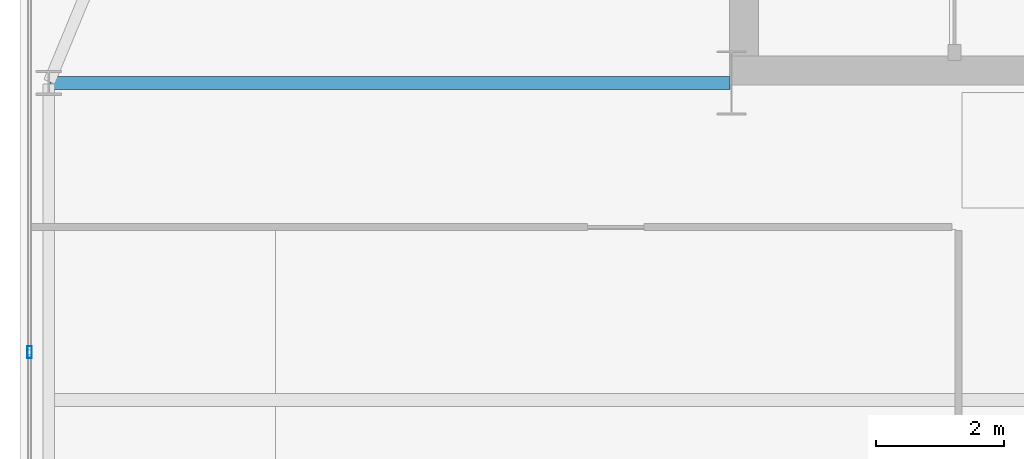
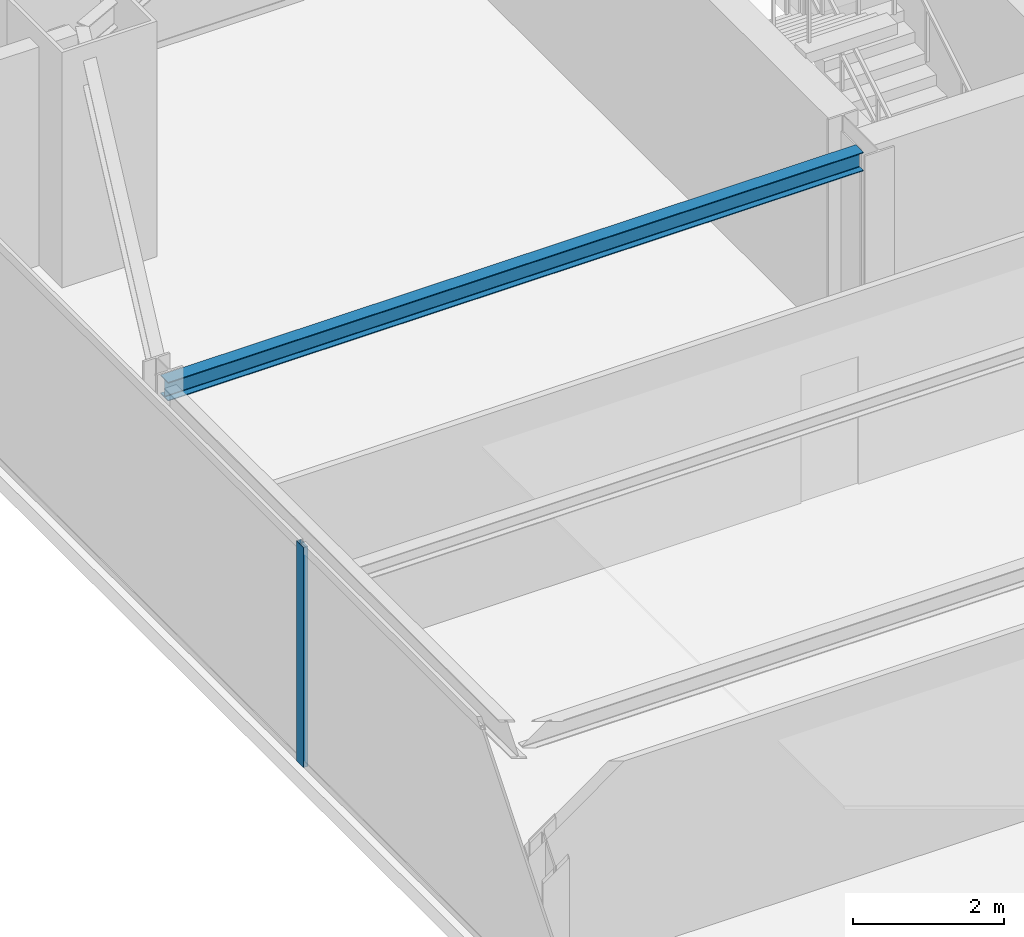
# One storey, part 10 of 33: 1 beam, 1 member, 1 element without a shape of its own.
"""IFC4 building model written with IfcOpenShell, lengths in metres."""

from ifc_helpers import new_model, si_unit, direction, frame, origin, origin_2d, place, context, subcontext, project, spatial, hollow_rectangle, i_section, extrude, source, transform, mapped, material, layer, layer_set, material_profile, profile_set, type_object, type_shapes, element, aggregate, save


model = new_model("IFC4")

# Units and contexts
model_context = context("Model", 3, precision=1e-05, world=origin(), true_north=direction((0.0, 1.0)))
body_context = subcontext(model_context, "Body", "Model", "MODEL_VIEW")
ifc_project = project(units=[si_unit("LENGTHUNIT", "METRE"), si_unit("AREAUNIT", "SQUARE_METRE"), si_unit("VOLUMEUNIT", "CUBIC_METRE"), si_unit("PLANEANGLEUNIT", "RADIAN"), si_unit("MASSUNIT", "GRAM", prefix="KILO")], contexts=[model_context])

# Site, building, storey
site_placement = place(None, origin())
site = spatial("IfcSite", under=ifc_project, at=site_placement, CompositionType="ELEMENT")
building_placement = place(site_placement, origin())
building = spatial("IfcBuilding", under=site, at=building_placement, Name="Varnel Quay Broadcast Tower", CompositionType="ELEMENT")
storey_placement = place(building_placement, frame((0.0, 0.0, 129.60009765625)))
storey = spatial("IfcBuildingStorey", under=building, at=storey_placement, Name="L31", CompositionType="ELEMENT", Elevation=129.60009765625)

# Beam
ifc_material_1 = material(Name="Structural Steel CSA G40.21 350W", Category="steel")
ifc_material_profile_1 = material_profile(ifc_material_1, i_section(OverallWidth=0.202880859375, OverallDepth=0.302978515625, WebThickness=0.007568359375, FlangeThickness=0.01318359375, FilletRadius=0.011962890625, at=origin_2d()), Name="W310X60")
ifc_profile_set_1 = profile_set([ifc_material_profile_1], Name="Structural Steel CSA G40.21 350W")
beam_type = type_object("IfcBeamType", Name="Beam_W310X60", PredefinedType="JOIST", material=ifc_profile_set_1)
shared_shape_1 = source(origin(), body_context, "Body", "SweptSolid", [
    extrude(i_section(OverallWidth=0.202880859375, OverallDepth=0.302978515625, WebThickness=0.007568359375, FlangeThickness=0.01318359375, FilletRadius=0.011962890625, at=origin_2d()), origin(), (0.0, 0.0, 1.0), 10.610107421875),
])
type_shapes(beam_type, [shared_shape_1])
beam_placement = place(storey_placement, frame((4.969970703125, 35.60009765625, 3.3984375), z_axis=(1.0, 0.0, 0.0), x_axis=(0.0, 1.0, 0.0)))
element("IfcBeam", 1, at=beam_placement, inside=storey, type_object=beam_type, Name="L31 West Core Tie Joist", PredefinedType="JOIST", context=body_context, shape_type="MappedRepresentation", body=[
    mapped(shared_shape_1, transform((0.0, 0.0, 0.0), x_axis=(1.0, 0.0, 0.0), y_axis=(0.0, 1.0, 0.0), z_axis=(0.0, 0.0, 1.0), scale=1.0)),
])

# Curtain wall, member
ifc_material_2 = material(Name="Anodised Bronze Aluminium 6063-T6", Category="aluminium")
ifc_layer = layer(ifc_material_2, 0.18994140625, Name="Anodised Bronze Aluminium 6063-T6")
ifc_layer_set = layer_set([ifc_layer], Name="Anodised Bronze Aluminium 6063-T6")
curtain_wall_type = type_object("IfcCurtainWallType", Name="CW_LowerTower", PredefinedType="NOTDEFINED", material=ifc_layer_set)
curtain_wall_placement = place(storey_placement, origin())
curtain_wall = element("IfcCurtainWall", 2, at=curtain_wall_placement, inside=storey, type_object=curtain_wall_type, Name="L31 West Unitised Curtain Wall", PredefinedType="NOTDEFINED")
ifc_material_profile_2 = material_profile(ifc_material_2, hollow_rectangle(XDim=0.070068359375, YDim=0.18994140625, WallThickness=0.00390625, at=origin_2d()), Name="ALU70X190X4")
ifc_profile_set_2 = profile_set([ifc_material_profile_2], Name="Anodised Bronze Aluminium 6063-T6")
member_type = type_object("IfcMemberType", Name="Mull_CWS-02", PredefinedType="MULLION", material=ifc_profile_set_2)
shared_shape_2 = source(origin(), body_context, "Body", "SweptSolid", [
    extrude(hollow_rectangle(XDim=0.070068359375, YDim=0.18994140625, WallThickness=0.00390625, at=origin_2d()), origin(), (0.0, 0.0, 1.0), 3.5498046875),
])
type_shapes(member_type, [shared_shape_2])
member_placement = place(storey_placement, frame((4.64990234375, 31.39990234375, 0.0), z_axis=(0.0, 0.0, 1.0), x_axis=(-1.0, 0.0, 0.0)))
member = element("IfcMember", 3, at=member_placement, type_object=member_type, Name="CWS-02 mullion 3", PredefinedType="MULLION", context=body_context, shape_type="MappedRepresentation", body=[
    mapped(shared_shape_2, transform((0.0, 0.0, 0.0), x_axis=(1.0, 0.0, 0.0), y_axis=(0.0, 1.0, 0.0), z_axis=(0.0, 0.0, 1.0), scale=1.0)),
])
aggregate(curtain_wall, [member])

save(model, "model.ifc")
